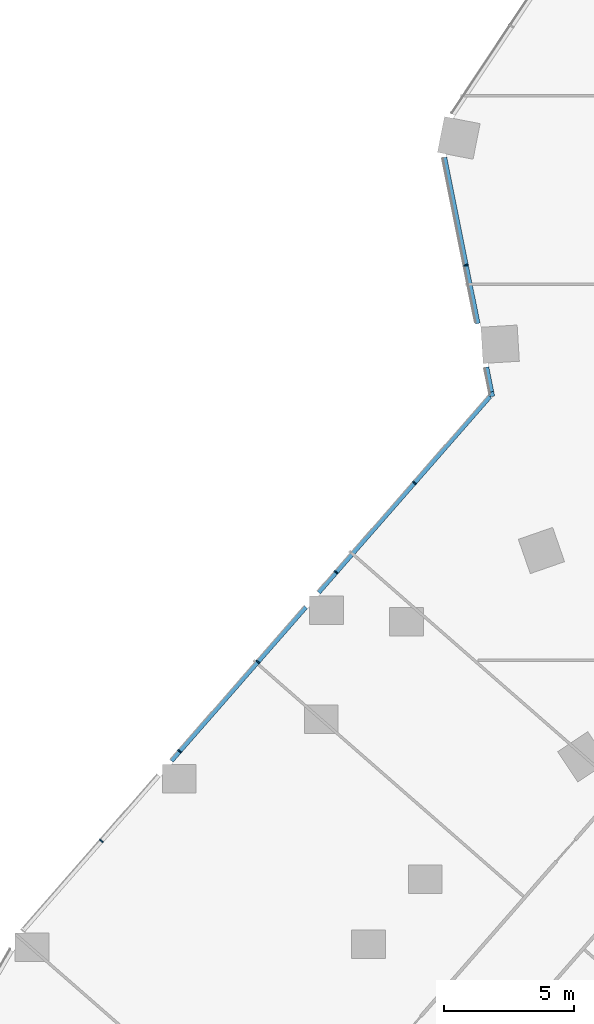
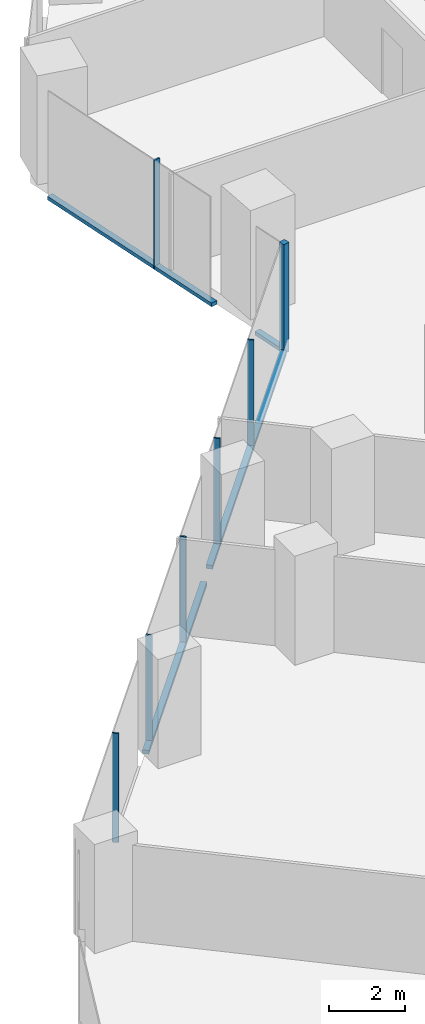
# One storey, part 6 of 38: 11 members, 2 elements without a shape of their own.
"""IFC4 building model written with IfcOpenShell, lengths in metres."""

from ifc_helpers import new_model, si_unit, direction, frame, origin, origin_2d, place, context, subcontext, project, spatial, rectangle, extrude, material, material_profile, profile_set, type_object, element, aggregate, save


model = new_model("IFC4")

# Units and contexts
model_context = context("Model", 3, precision=1e-05, world=origin(), true_north=direction((0.0, 1.0)))
body_context = subcontext(model_context, "Body", "Model", "MODEL_VIEW")
ifc_project = project(units=[si_unit("LENGTHUNIT", "METRE"), si_unit("AREAUNIT", "SQUARE_METRE"), si_unit("VOLUMEUNIT", "CUBIC_METRE"), si_unit("PLANEANGLEUNIT", "RADIAN"), si_unit("MASSUNIT", "GRAM", prefix="KILO")], contexts=[model_context])

# Site, building, storey
site_placement = place(None, origin())
site = spatial("IfcSite", under=ifc_project, at=site_placement, CompositionType="ELEMENT")
building_placement = place(site_placement, origin())
building = spatial("IfcBuilding", under=site, at=building_placement, Name="Orlundy Tower", CompositionType="ELEMENT")
storey_placement = place(building_placement, frame((0.0, 0.0, 62.300048828125)))
storey = spatial("IfcBuildingStorey", under=building, at=storey_placement, Name="L14", CompositionType="ELEMENT", Elevation=62.300048828125)

# Curtain wall, member
ifc_material_1 = material(Name="Aluminium bronze anodised", Category="aluminium")
curtain_wall_type = type_object("IfcCurtainWallType", Name="CW1 wall", PredefinedType="NOTDEFINED", material=ifc_material_1)
curtain_wall_1_placement = place(storey_placement, origin())
curtain_wall_1 = element("IfcCurtainWall", 1, at=curtain_wall_1_placement, inside=storey, type_object=curtain_wall_type, Name="CW1 run 013", PredefinedType="NOTDEFINED")
ifc_material_2 = material(Name="Aluminium bronze anodised", Category="aluminium")
ifc_material_profile_1 = material_profile(ifc_material_2, rectangle(XDim=0.179931640625, YDim=0.179931640625, at=origin_2d()), Name="CW1 corner post 180x180")
ifc_profile_set_1 = profile_set([ifc_material_profile_1], Name="Aluminium bronze anodised")
member_type_1 = type_object("IfcMemberType", Name="CW1 corner post 180x180", PredefinedType="MULLION", material=ifc_profile_set_1)
member_1_placement = place(storey_placement, frame((-29.94189453125, -3.72314453125, -0.400146484375), z_axis=(0.0, 0.0, 1.0), x_axis=(-0.980497937474, -0.196529373401, 0.0)))
member_1 = element("IfcMember", 2, at=member_1_placement, type_object=member_type_1, Name="CW1 mullion 32", PredefinedType="MULLION", context=body_context, shape_type="SweptSolid", body=[
    extrude(rectangle(XDim=0.179931640625, YDim=0.179931640625, at=origin_2d()), origin(), (0.0, 0.0, 1.0), 3.5),
])

# Curtain wall, members
curtain_wall_2_placement = place(storey_placement, origin())
curtain_wall_2 = element("IfcCurtainWall", 3, at=curtain_wall_2_placement, inside=storey, type_object=curtain_wall_type, Name="CW1 run 012", PredefinedType="NOTDEFINED")
ifc_material_3 = material(Name="Aluminium bronze anodised", Category="aluminium")
ifc_material_profile_2 = material_profile(ifc_material_3, rectangle(XDim=0.179931640625, YDim=0.050048828125, at=origin_2d()), Name="CW1 mullion 50x180")
ifc_profile_set_2 = profile_set([ifc_material_profile_2], Name="Aluminium bronze anodised")
member_type_2 = type_object("IfcMemberType", Name="CW1 mullion 50x180", PredefinedType="MULLION", material=ifc_profile_set_2)
member_2_placement = place(storey_placement, frame((-45.01611328125, -20.96142578125, -0.400146484375), z_axis=(0.0, 0.0, 1.0), x_axis=(-0.752779154075, 0.658273153933, 0.0)))
member_2 = element("IfcMember", 4, at=member_2_placement, type_object=member_type_2, Name="CW1 mullion 27", PredefinedType="MULLION", context=body_context, shape_type="SweptSolid", body=[
    extrude(rectangle(XDim=0.179931640625, YDim=0.050048828125, at=origin_2d()), origin(), (0.0, 0.0, 1.0), 3.5),
])
member_3_placement = place(storey_placement, frame((-41.995361328125, -17.507080078125, -0.400146484375), z_axis=(0.0, 0.0, 1.0), x_axis=(-0.752779154075, 0.658273153933, 0.0)))
member_3 = element("IfcMember", 5, at=member_3_placement, type_object=member_type_2, Name="CW1 mullion 28", PredefinedType="MULLION", context=body_context, shape_type="SweptSolid", body=[
    extrude(rectangle(XDim=0.179931640625, YDim=0.050048828125, at=origin_2d()), origin(), (0.0, 0.0, 1.0), 3.5),
])
member_4_placement = place(storey_placement, frame((-38.974853515625, -14.052734375, -0.400146484375), z_axis=(0.0, 0.0, 1.0), x_axis=(-0.752779154075, 0.658273153933, 0.0)))
member_4 = element("IfcMember", 6, at=member_4_placement, type_object=member_type_2, Name="CW1 mullion 29", PredefinedType="MULLION", context=body_context, shape_type="SweptSolid", body=[
    extrude(rectangle(XDim=0.179931640625, YDim=0.050048828125, at=origin_2d()), origin(), (0.0, 0.0, 1.0), 3.5),
])
member_5_placement = place(storey_placement, frame((-35.9541015625, -10.598388671875, -0.400146484375), z_axis=(0.0, 0.0, 1.0), x_axis=(-0.752779154075, 0.658273153933, 0.0)))
member_5 = element("IfcMember", 7, at=member_5_placement, type_object=member_type_2, Name="CW1 mullion 30", PredefinedType="MULLION", context=body_context, shape_type="SweptSolid", body=[
    extrude(rectangle(XDim=0.179931640625, YDim=0.050048828125, at=origin_2d()), origin(), (0.0, 0.0, 1.0), 3.5),
])
member_6_placement = place(storey_placement, frame((-32.933349609375, -7.14404296875, -0.400146484375), z_axis=(0.0, 0.0, 1.0), x_axis=(-0.752779154075, 0.658273153933, 0.0)))
member_6 = element("IfcMember", 8, at=member_6_placement, type_object=member_type_2, Name="CW1 mullion 31", PredefinedType="MULLION", context=body_context, shape_type="SweptSolid", body=[
    extrude(rectangle(XDim=0.179931640625, YDim=0.050048828125, at=origin_2d()), origin(), (0.0, 0.0, 1.0), 3.5),
])

# Member
member_7_placement = place(storey_placement, frame((-30.939208984375, 1.252197265625, -0.400146484375), z_axis=(0.0, 0.0, 1.0), x_axis=(-0.980497937474, -0.196529373401, 0.0)))
member_7 = element("IfcMember", 9, at=member_7_placement, type_object=member_type_2, Name="CW1 mullion 33", PredefinedType="MULLION", context=body_context, shape_type="SweptSolid", body=[
    extrude(rectangle(XDim=0.179931640625, YDim=0.050048828125, at=origin_2d()), origin(), (0.0, 0.0, 1.0), 3.5),
])

ifc_material_4 = material(Name="Aluminium bronze anodised", Category="aluminium")
ifc_material_profile_3 = material_profile(ifc_material_4, rectangle(XDim=0.179931640625, YDim=0.1201171875, at=origin_2d()), Name="CW1 transom 180x120")
ifc_profile_set_3 = profile_set([ifc_material_profile_3], Name="Aluminium bronze anodised")
member_type_3 = type_object("IfcMemberType", Name="CW1 transom 180x120", PredefinedType="USERDEFINED", material=ifc_profile_set_3)
member_8_placement = place(storey_placement, frame((-42.313720703125, -17.87109375, -0.340087890625), z_axis=(0.658274246781, 0.752778198425, 0.0), x_axis=(-0.752778198425, 0.658274246781, 0.0)))
member_8 = element("IfcMember", 10, at=member_8_placement, type_object=member_type_3, Name="CW1 transom", ObjectType="TRANSOM", PredefinedType="USERDEFINED", context=body_context, shape_type="SweptSolid", body=[
    extrude(rectangle(XDim=0.179931640625, YDim=0.1201171875, at=origin_2d()), origin(), (0.0, 0.0, 1.0), 7.87939453125),
])

member_9_placement = place(storey_placement, frame((-36.630615234375, -11.3720703125, -0.340087890625), z_axis=(0.658277502826, 0.752775351133, 0.0), x_axis=(-0.752775351133, 0.658277502826, 0.0)))
member_9 = element("IfcMember", 11, at=member_9_placement, type_object=member_type_3, Name="CW1 transom", ObjectType="TRANSOM", PredefinedType="USERDEFINED", context=body_context, shape_type="SweptSolid", body=[
    extrude(rectangle(XDim=0.179931640625, YDim=0.1201171875, at=origin_2d()), origin(), (0.0, 0.0, 1.0), 10.04736328125),
])

aggregate(curtain_wall_2, [member_2, member_3, member_4, member_5, member_6, member_8, member_9])

member_10_placement = place(storey_placement, frame((-29.959716796875, -3.635009765625, -0.340087890625), z_axis=(-0.19635725955, 0.980532419975, 0.0), x_axis=(-0.980532419975, -0.19635725955, 0.0)))
member_10 = element("IfcMember", 12, at=member_10_placement, type_object=member_type_3, Name="CW1 transom", ObjectType="TRANSOM", PredefinedType="USERDEFINED", context=body_context, shape_type="SweptSolid", body=[
    extrude(rectangle(XDim=0.179931640625, YDim=0.1201171875, at=origin_2d()), origin(), (0.0, 0.0, 1.0), 0.9736328125),
])

member_11_placement = place(storey_placement, frame((-30.48828125, -0.997802734375, -0.340087890625), z_axis=(-0.19652590044, 0.980498633582, 0.0), x_axis=(-0.980498633582, -0.19652590044, 0.0)))
member_11 = element("IfcMember", 13, at=member_11_placement, type_object=member_type_3, Name="CW1 transom", ObjectType="TRANSOM", PredefinedType="USERDEFINED", context=body_context, shape_type="SweptSolid", body=[
    extrude(rectangle(XDim=0.179931640625, YDim=0.1201171875, at=origin_2d()), origin(), (0.0, 0.0, 1.0), 6.53076171875),
])

aggregate(curtain_wall_1, [member_1, member_7, member_10, member_11])

save(model, "model.ifc")
